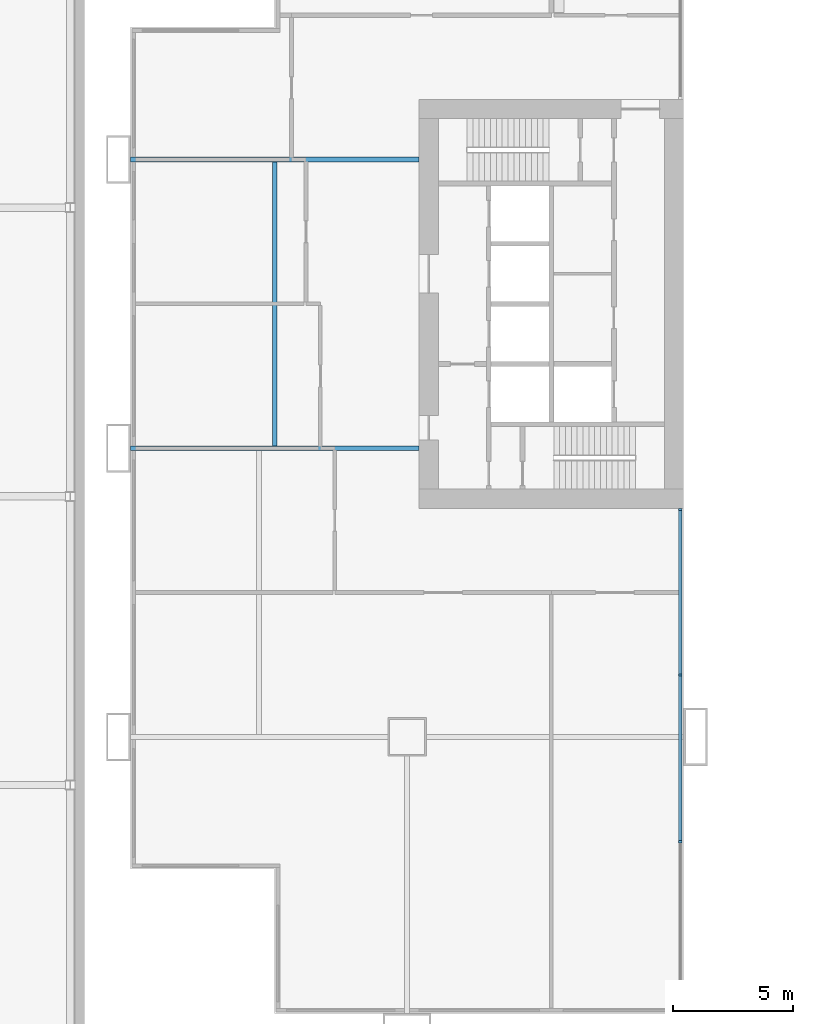
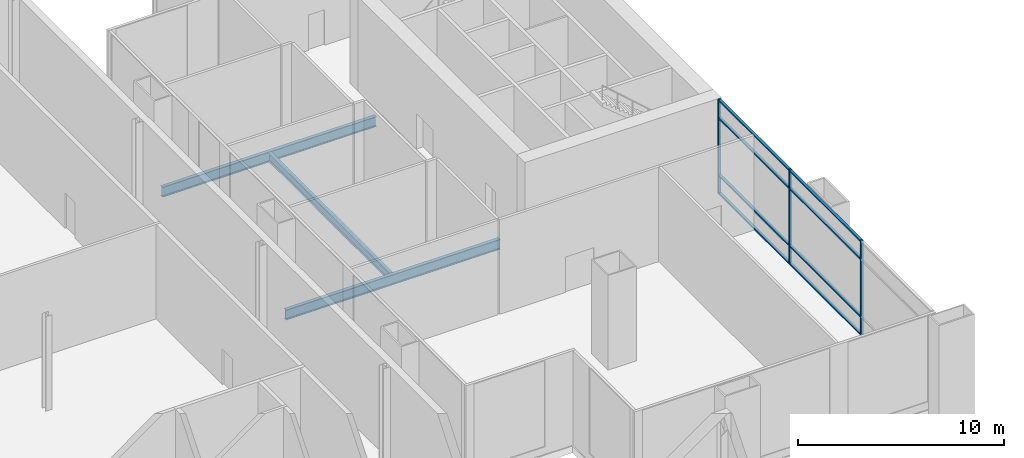
# One storey, part 9 of 25: 11 members, 3 beams, 1 element without a shape of its own.
"""IFC4 building model written with IfcOpenShell, lengths in metres."""

from ifc_helpers import new_model, si_unit, direction, frame, origin, origin_2d, place, context, subcontext, project, spatial, rectangle, i_section, extrude, material, material_profile, profile_set, type_object, element, aggregate, save


model = new_model("IFC4")

# Units and contexts
model_context = context("Model", 3, precision=1e-05, world=origin(), true_north=direction((0.0, 1.0)))
body_context = subcontext(model_context, "Body", "Model", "MODEL_VIEW")
ifc_project = project(units=[si_unit("LENGTHUNIT", "METRE"), si_unit("AREAUNIT", "SQUARE_METRE"), si_unit("VOLUMEUNIT", "CUBIC_METRE"), si_unit("PLANEANGLEUNIT", "RADIAN"), si_unit("MASSUNIT", "GRAM", prefix="KILO")], contexts=[model_context])

# Site, building, storey
site_placement = place(None, origin())
site = spatial("IfcSite", under=ifc_project, at=site_placement, CompositionType="ELEMENT")
building_placement = place(site_placement, origin())
building = spatial("IfcBuilding", under=site, at=building_placement, Name="Kitamizu Gate Tower and Museum", CompositionType="ELEMENT")
storey_placement = place(building_placement, frame((0.0, 0.0, 18.0)))
storey = spatial("IfcBuildingStorey", under=building, at=storey_placement, Name="L03", CompositionType="ELEMENT", Elevation=18.0)

# Beams
ifc_material_1 = material(Name="Steel SM490A", Category="steel")
ifc_material_profile_1 = material_profile(ifc_material_1, i_section(OverallWidth=0.199951171875, OverallDepth=0.5, WebThickness=0.010009765625, FlangeThickness=0.01611328125, FilletRadius=0.02001953125, at=origin_2d()), Name="H-500x200x10x16")
ifc_profile_set_1 = profile_set([ifc_material_profile_1], Name="Steel SM490A")
beam_type_1 = type_object("IfcBeamType", Name="Floor beam FB1 H 500x200x10x16", PredefinedType="BEAM", material=ifc_profile_set_1)
beam_placement = place(storey_placement, frame((6.5, 24.10009765625, -0.64990234375), z_axis=(0.0, 1.0, 0.0), x_axis=(-1.0, 0.0, 0.0)))
element("IfcBeam", 1, at=beam_placement, inside=storey, type_object=beam_type_1, Name="Floor beam FB1 L03-3", PredefinedType="BEAM", context=body_context, shape_type="SweptSolid", body=[
    extrude(i_section(OverallWidth=0.199951171875, OverallDepth=0.5, WebThickness=0.010009765625, FlangeThickness=0.01611328125, FilletRadius=0.02001953125, at=origin_2d()), origin(), (0.0, 0.0, 1.0), 11.7998046875),
])
ifc_material_2 = material(Name="Steel SM490A", Category="steel")
ifc_material_profile_2 = material_profile(ifc_material_2, i_section(OverallWidth=0.199951171875, OverallDepth=0.60009765625, WebThickness=0.010986328125, FlangeThickness=0.01708984375, FilletRadius=0.02197265625, at=origin_2d()), Name="H-600x200x11x17")
ifc_profile_set_2 = profile_set([ifc_material_profile_2], Name="Steel SM490A")
beam_type_2 = type_object("IfcBeamType", Name="Floor girder FG1 H 600x200x11x17", PredefinedType="BEAM", material=ifc_profile_set_2)
for number, where, z_axis, x_axis, name in (
    (2, (0.5, 24.0, -0.699951171875), (1.0, 0.0, 0.0), (0.0, 1.0, 0.0), "Floor girder FG1 y24 L03"),
    (3, (0.5, 36.0, -0.699951171875), (1.0, 0.0, 0.0), (0.0, 1.0, 0.0), "Floor girder FG1 y36 L03"),
):
    element("IfcBeam", number, at=place(storey_placement, frame(where, z_axis=z_axis, x_axis=x_axis)), inside=storey, type_object=beam_type_2, Name=name, PredefinedType="BEAM", context=body_context, shape_type="SweptSolid", body=[
        extrude(i_section(OverallWidth=0.199951171875, OverallDepth=0.60009765625, WebThickness=0.010986328125, FlangeThickness=0.01708984375, FilletRadius=0.02197265625, at=origin_2d()), origin(), (0.0, 0.0, 1.0), 12.0),
    ])

# Curtain wall, members
ifc_material_3 = material(Name="Bronze anodised aluminium frame, tinted triple glazing", Category="aluminium")
curtain_wall_type = type_object("IfcCurtainWallType", Name="CURTAIN WALL TYPE A PODIUM", PredefinedType="NOTDEFINED", material=ifc_material_3)
curtain_wall_placement = place(storey_placement, origin())
curtain_wall = element("IfcCurtainWall", 4, at=curtain_wall_placement, inside=storey, type_object=curtain_wall_type, Name="Curtain wall CW-A east L03", PredefinedType="NOTDEFINED")
ifc_material_4 = material(Name="Bronze anodised aluminium", Category="aluminium")
ifc_material_profile_3 = material_profile(ifc_material_4, rectangle(XDim=0.090087890625, YDim=0.14990234375, at=origin_2d()), Name="AL 90X150")
ifc_profile_set_3 = profile_set([ifc_material_profile_3], Name="Bronze anodised aluminium")
member_type_1 = type_object("IfcMemberType", Name="MULLION 90 X 150 TYPE A", PredefinedType="MULLION", material=ifc_profile_set_3)
member_1_placement = place(storey_placement, frame((23.364990234375, 7.639892578125, 0.0), z_axis=(0.0, 0.0, 1.0), x_axis=(0.0, 1.0, 0.0)))
member_1 = element("IfcMember", 5, at=member_1_placement, type_object=member_type_1, Name="CW-A mullion 2", PredefinedType="MULLION", context=body_context, shape_type="SweptSolid", body=[
    extrude(rectangle(XDim=0.090087890625, YDim=0.14990234375, at=origin_2d()), origin(), (0.0, 0.0, 1.0), 5.60009765625),
])
member_2_placement = place(storey_placement, frame((23.364990234375, 14.570068359375, 0.0), z_axis=(0.0, 0.0, 1.0), x_axis=(0.0, 1.0, 0.0)))
member_2 = element("IfcMember", 6, at=member_2_placement, type_object=member_type_1, Name="CW-A mullion 3", PredefinedType="MULLION", context=body_context, shape_type="SweptSolid", body=[
    extrude(rectangle(XDim=0.090087890625, YDim=0.14990234375, at=origin_2d()), origin(), (0.0, 0.0, 1.0), 5.60009765625),
])
member_3_placement = place(storey_placement, frame((23.364990234375, 21.455078125, 0.0), z_axis=(0.0, 0.0, 1.0), x_axis=(0.0, 1.0, 0.0)))
member_3 = element("IfcMember", 7, at=member_3_placement, type_object=member_type_1, Name="CW-A mullion 4", PredefinedType="MULLION", context=body_context, shape_type="SweptSolid", body=[
    extrude(rectangle(XDim=0.090087890625, YDim=0.14990234375, at=origin_2d()), origin(), (0.0, 0.0, 1.0), 5.60009765625),
])
ifc_material_5 = material(Name="Bronze anodised aluminium", Category="aluminium")
ifc_material_profile_4 = material_profile(ifc_material_5, rectangle(XDim=0.14990234375, YDim=0.080078125, at=origin_2d()), Name="AL 80X150")
ifc_profile_set_4 = profile_set([ifc_material_profile_4], Name="Bronze anodised aluminium")
member_type_2 = type_object("IfcMemberType", Name="TRANSOM 80 X 150 TYPE A", PredefinedType="USERDEFINED", material=ifc_profile_set_4)
member_4_placement = place(storey_placement, frame((23.364990234375, 7.68505859375, 0.0400390625), z_axis=(0.0, 1.0, 0.0), x_axis=(-1.0, 0.0, 0.0)))
member_4 = element("IfcMember", 8, at=member_4_placement, type_object=member_type_2, Name="CW-A transom 2.1", ObjectType="TRANSOM", PredefinedType="USERDEFINED", context=body_context, shape_type="SweptSolid", body=[
    extrude(rectangle(XDim=0.14990234375, YDim=0.080078125, at=origin_2d()), origin(), (0.0, 0.0, 1.0), 6.83984375),
])
member_5_placement = place(storey_placement, frame((23.364990234375, 7.68505859375, 1.10009765625), z_axis=(0.0, 1.0, 0.0), x_axis=(-1.0, 0.0, 0.0)))
member_5 = element("IfcMember", 9, at=member_5_placement, type_object=member_type_2, Name="CW-A transom 2.2", ObjectType="TRANSOM", PredefinedType="USERDEFINED", context=body_context, shape_type="SweptSolid", body=[
    extrude(rectangle(XDim=0.14990234375, YDim=0.080078125, at=origin_2d()), origin(), (0.0, 0.0, 1.0), 6.83984375),
])
member_6_placement = place(storey_placement, frame((23.364990234375, 7.68505859375, 4.5), z_axis=(0.0, 1.0, 0.0), x_axis=(-1.0, 0.0, 0.0)))
member_6 = element("IfcMember", 10, at=member_6_placement, type_object=member_type_2, Name="CW-A transom 2.3", ObjectType="TRANSOM", PredefinedType="USERDEFINED", context=body_context, shape_type="SweptSolid", body=[
    extrude(rectangle(XDim=0.14990234375, YDim=0.080078125, at=origin_2d()), origin(), (0.0, 0.0, 1.0), 6.83984375),
])
member_7_placement = place(storey_placement, frame((23.364990234375, 7.68505859375, 5.56005859375), z_axis=(0.0, 1.0, 0.0), x_axis=(-1.0, 0.0, 0.0)))
member_7 = element("IfcMember", 11, at=member_7_placement, type_object=member_type_2, Name="CW-A transom 2.4", ObjectType="TRANSOM", PredefinedType="USERDEFINED", context=body_context, shape_type="SweptSolid", body=[
    extrude(rectangle(XDim=0.14990234375, YDim=0.080078125, at=origin_2d()), origin(), (0.0, 0.0, 1.0), 6.83984375),
])
member_8_placement = place(storey_placement, frame((23.364990234375, 14.614990234375, 0.0400390625), z_axis=(0.0, 1.0, 0.0), x_axis=(-1.0, 0.0, 0.0)))
member_8 = element("IfcMember", 12, at=member_8_placement, type_object=member_type_2, Name="CW-A transom 3.1", ObjectType="TRANSOM", PredefinedType="USERDEFINED", context=body_context, shape_type="SweptSolid", body=[
    extrude(rectangle(XDim=0.14990234375, YDim=0.080078125, at=origin_2d()), origin(), (0.0, 0.0, 1.0), 6.794921875),
])
member_9_placement = place(storey_placement, frame((23.364990234375, 14.614990234375, 1.10009765625), z_axis=(0.0, 1.0, 0.0), x_axis=(-1.0, 0.0, 0.0)))
member_9 = element("IfcMember", 13, at=member_9_placement, type_object=member_type_2, Name="CW-A transom 3.2", ObjectType="TRANSOM", PredefinedType="USERDEFINED", context=body_context, shape_type="SweptSolid", body=[
    extrude(rectangle(XDim=0.14990234375, YDim=0.080078125, at=origin_2d()), origin(), (0.0, 0.0, 1.0), 6.794921875),
])
member_10_placement = place(storey_placement, frame((23.364990234375, 14.614990234375, 4.5), z_axis=(0.0, 1.0, 0.0), x_axis=(-1.0, 0.0, 0.0)))
member_10 = element("IfcMember", 14, at=member_10_placement, type_object=member_type_2, Name="CW-A transom 3.3", ObjectType="TRANSOM", PredefinedType="USERDEFINED", context=body_context, shape_type="SweptSolid", body=[
    extrude(rectangle(XDim=0.14990234375, YDim=0.080078125, at=origin_2d()), origin(), (0.0, 0.0, 1.0), 6.794921875),
])
member_11_placement = place(storey_placement, frame((23.364990234375, 14.614990234375, 5.56005859375), z_axis=(0.0, 1.0, 0.0), x_axis=(-1.0, 0.0, 0.0)))
member_11 = element("IfcMember", 15, at=member_11_placement, type_object=member_type_2, Name="CW-A transom 3.4", ObjectType="TRANSOM", PredefinedType="USERDEFINED", context=body_context, shape_type="SweptSolid", body=[
    extrude(rectangle(XDim=0.14990234375, YDim=0.080078125, at=origin_2d()), origin(), (0.0, 0.0, 1.0), 6.794921875),
])
aggregate(curtain_wall, [member_1, member_2, member_3, member_4, member_5, member_6, member_7, member_8, member_9, member_10, member_11])

save(model, "model.ifc")
